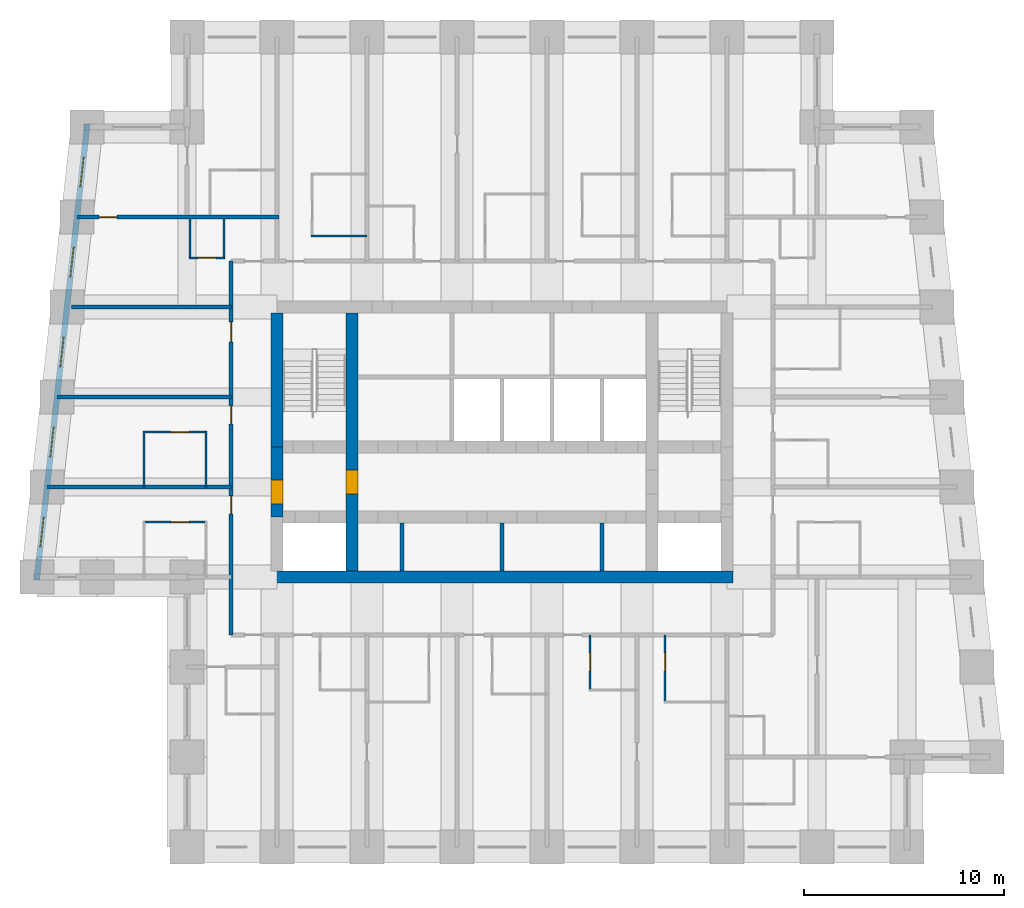
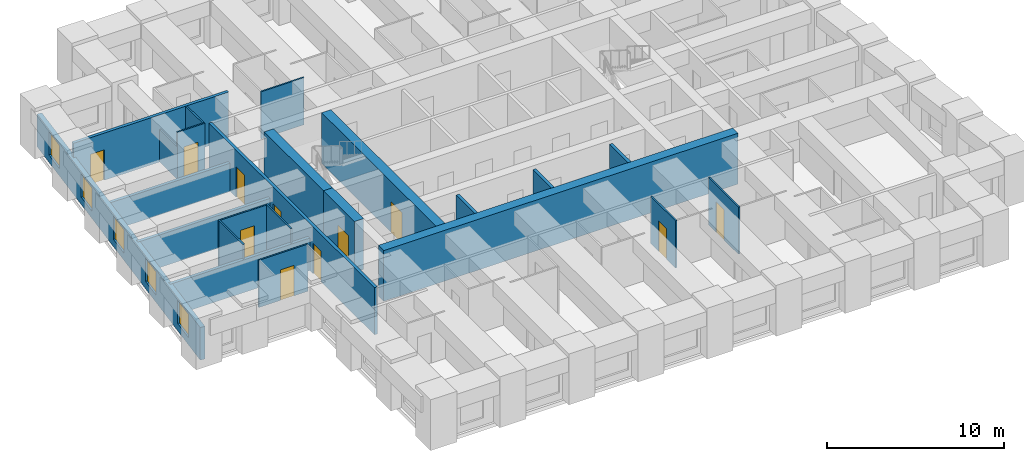
# One storey, part 3 of 8: 23 walls, 11 doors, 5 windows, 16 openings.
"""IFC4 building model written with IfcOpenShell, lengths in metres."""

import ifcopenshell
import ifcopenshell.guid

model = None  # the IFC model being written
_history = None  # IfcOwnerHistory: only IFC2X3 demands one
_inside = {}  # id of a spatial element -> (the spatial element, [elements in it])
_under = {}  # id of a project, library or spatial element -> (it, [spatial elements below it])
_declared = {}  # id of a project -> (the project, [libraries it declares])
_typed = {}  # id of a type object -> (the type object, [elements of that type])
_made_of = {}  # id of a material, layer set ... -> (it, [elements and type objects made of it])


def new_model(schema):
    """Start an empty IFC model of exactly this schema.

    Asked for "IFC4X3", IfcOpenShell would pick the latest addendum, in which some entities
    have other attributes; the version numbers below select the first issue.
    IFC2X3 requires an IfcOwnerHistory on every rooted entity: one is made here for all.
    """
    global model, _history
    if schema == "IFC4X3":
        model = ifcopenshell.file(schema_version=(4, 3, 0, 0))
    else:
        model = ifcopenshell.file(schema=schema)
    _inside.clear()
    _under.clear()
    _declared.clear()
    _typed.clear()
    _made_of.clear()
    _history = None
    if model.schema == "IFC2X3":
        org = make("IfcOrganization", Name="unknown")
        user = make(
            "IfcPersonAndOrganization",
            ThePerson=make("IfcPerson", FamilyName="unknown"),
            TheOrganization=org,
        )
        app = make(
            "IfcApplication",
            ApplicationDeveloper=org,
            Version="unknown",
            ApplicationFullName="unknown",
            ApplicationIdentifier="unknown",
        )
        _history = make(
            "IfcOwnerHistory",
            OwningUser=user,
            OwningApplication=app,
            ChangeAction="ADDED",
            CreationDate=0,
        )
    return model


def make(cls, **values):
    """One entity of the class cls with the attributes given. An attribute that is None is left unset."""
    return model.create_entity(
        cls, **{name: value for name, value in values.items() if value is not None}
    )


def rooted(cls, **values):
    """An entity with a GlobalId (a new one), such as an element, a storey or a relation."""
    return make(cls, GlobalId=ifcopenshell.guid.new(), OwnerHistory=_history, **values)


def si_unit(unit_type, name, prefix=None):
    """IfcSIUnit, for example si_unit("LENGTHUNIT", "METRE", prefix="MILLI")."""
    return make("IfcSIUnit", UnitType=unit_type, Prefix=prefix, Name=name)


def assignment(units):
    """IfcUnitAssignment: the units of a project."""
    return None if units is None else make("IfcUnitAssignment", Units=units)


def point(xyz):
    """IfcCartesianPoint."""
    return None if xyz is None else make("IfcCartesianPoint", Coordinates=xyz)


def direction(xyz):
    """IfcDirection."""
    return None if xyz is None else make("IfcDirection", DirectionRatios=xyz)


def frame(location, z_axis=None, x_axis=None):
    """IfcAxis2Placement3D, a coordinate frame: its origin and axes. An axis left out is left unset."""
    return make(
        "IfcAxis2Placement3D",
        Location=point(location),
        Axis=direction(z_axis),
        RefDirection=direction(x_axis),
    )


def frame_2d(location, x_axis=None):
    """IfcAxis2Placement2D, a coordinate frame in the plane: its origin and x axis."""
    return make(
        "IfcAxis2Placement2D", Location=point(location), RefDirection=direction(x_axis)
    )


def origin():
    """The frame at (0, 0, 0) with its axes left unset."""
    return frame((0.0, 0.0, 0.0))


def place(relative_to, where):
    """IfcLocalPlacement: puts the frame where relative to a parent placement (None: the world)."""
    return make(
        "IfcLocalPlacement", PlacementRelTo=relative_to, RelativePlacement=where
    )


def context(
    kind, dimensions, precision=None, world=None, true_north=None, identifier=None
):
    """IfcGeometricRepresentationContext, for example the 3D "Model" context."""
    return make(
        "IfcGeometricRepresentationContext",
        ContextIdentifier=identifier,
        ContextType=kind,
        CoordinateSpaceDimension=dimensions,
        Precision=precision,
        WorldCoordinateSystem=world,
        TrueNorth=true_north,
    )


def subcontext(parent, identifier, kind, view, scale=None):
    """IfcGeometricRepresentationSubContext, for example "Body" below "Model"."""
    return make(
        "IfcGeometricRepresentationSubContext",
        ContextIdentifier=identifier,
        ContextType=kind,
        ParentContext=parent,
        TargetScale=scale,
        TargetView=view,
    )


def project(units=None, contexts=None):
    """IfcProject with its units and contexts."""
    return rooted(
        "IfcProject",
        Name="project",
        RepresentationContexts=contexts,
        UnitsInContext=assignment(units),
    )


def spatial(cls, under=None, at=None, **own):
    """A site, building, storey or space (cls), placed at a placement, below another one or the project."""
    s = rooted(cls, ObjectPlacement=at, **own)
    if under is not None:
        _under.setdefault(under.id(), (under, []))[1].append(s)
    return s


def profile(cls, at=None, kind="AREA", **sizes):
    """A parametric profile (cls). Its sizes go by their IFC names, for example OverallWidth=200.0."""
    return make(cls, ProfileType=kind, Position=at, **sizes)


def rectangle(**sizes):
    """IfcRectangleProfileDef."""
    return profile("IfcRectangleProfileDef", **sizes)


def extrude(swept, where, along, depth):
    """IfcExtrudedAreaSolid: the profile swept, set in the frame where, extruded along a direction by depth."""
    return make(
        "IfcExtrudedAreaSolid",
        SweptArea=swept,
        Position=where,
        ExtrudedDirection=direction(along),
        Depth=depth,
    )


def shape(context_of_items, identifier, shape_type, items):
    """IfcShapeRepresentation: the items that make up one representation, for example the "Body"."""
    return make(
        "IfcShapeRepresentation",
        ContextOfItems=context_of_items,
        RepresentationIdentifier=identifier,
        RepresentationType=shape_type,
        Items=items,
    )


def material(Name=None, Category=None):
    """IfcMaterial."""
    return make("IfcMaterial", Name=Name, Category=Category)


def layer(
    of_material, thickness, ventilated=None, Name=None, Category=None, Priority=None
):
    """IfcMaterialLayer: one layer of a wall or slab, of a material (None: an air gap)."""
    return make(
        "IfcMaterialLayer",
        Material=of_material,
        LayerThickness=thickness,
        IsVentilated=ventilated,
        Name=Name,
        Category=Category,
        Priority=Priority,
    )


def layer_set(layers, Name=None):
    """IfcMaterialLayerSet."""
    return make("IfcMaterialLayerSet", MaterialLayers=layers, LayerSetName=Name)


def made_of(thing, what):
    """Note that an element or type object is made of a material, layer set ...; save() writes the relation."""
    if what is not None:
        _made_of.setdefault(what.id(), (what, []))[1].append(thing)
    return thing


def type_object(cls, material=None, **own):
    """A type object (cls), such as IfcWallType, which elements share."""
    return made_of(rooted(cls, **own), material)


def element(
    cls,
    number,
    at=None,
    inside=None,
    cuts=None,
    type_object=None,
    material=None,
    context=None,
    identifier="Body",
    shape_type=None,
    held_by="IfcProductDefinitionShape",
    body=None,
    shapes=None,
    **own,
):
    """One element of the class cls, such as IfcWall. Its Tag is "e" and its number.

    at: its placement. inside: the storey or other place that contains it. cuts: it is an
    opening in that element (IfcRelVoidsElement). A single representation is given by context,
    identifier, shape_type and body (its items); several are given by shapes. held_by: the class
    of the entity that holds the representations. save() writes the other relations.
    """
    e = rooted(cls, Tag="e%d" % number, ObjectPlacement=at, **own)
    if body is not None:
        shapes = [shape(context, identifier, shape_type, body)]
    if shapes is not None:
        e.Representation = make(held_by, Representations=shapes)
    if inside is not None:
        _inside.setdefault(inside.id(), (inside, []))[1].append(e)
    if cuts is not None:
        rooted(
            "IfcRelVoidsElement", RelatingBuildingElement=cuts, RelatedOpeningElement=e
        )
    if type_object is not None:
        _typed.setdefault(type_object.id(), (type_object, []))[1].append(e)
    return made_of(e, material)


def fill(opening, filler):
    """IfcRelFillsElement: the door or window that sits in an opening."""
    return rooted(
        "IfcRelFillsElement",
        RelatingOpeningElement=opening,
        RelatedBuildingElement=filler,
    )


def aggregate(whole, parts):
    """IfcRelAggregates: a whole, such as a stair, and the parts it consists of."""
    return rooted("IfcRelAggregates", RelatingObject=whole, RelatedObjects=parts)


def save(model, path):
    """Write the relations noted so far, then the file.

    IfcRelAggregates (storeys below a building ...), IfcRelContainedInSpatialStructure (elements
    in a storey), IfcRelDefinesByType, IfcRelAssociatesMaterial and IfcRelDeclares: one each for
    every whole, place, type object, material and project.
    """
    for whole, parts in _under.values():
        aggregate(whole, parts)
    for where, things in _inside.values():
        rooted(
            "IfcRelContainedInSpatialStructure",
            RelatedElements=things,
            RelatingStructure=where,
        )
    for kind, things in _typed.values():
        rooted("IfcRelDefinesByType", RelatedObjects=things, RelatingType=kind)
    for what, things in _made_of.values():
        rooted("IfcRelAssociatesMaterial", RelatedObjects=things, RelatingMaterial=what)
    for by, libraries in _declared.values():
        rooted("IfcRelDeclares", RelatingContext=by, RelatedDefinitions=libraries)
    model.write(path)


model = new_model("IFC4")

# Units and contexts
model_context = context("Model", 3, precision=1e-05, world=origin(), true_north=direction((0.0, 1.0)))
body_context = subcontext(model_context, "Body", "Model", "MODEL_VIEW")
ifc_project = project(units=[si_unit("LENGTHUNIT", "METRE"), si_unit("AREAUNIT", "SQUARE_METRE"), si_unit("VOLUMEUNIT", "CUBIC_METRE"), si_unit("PLANEANGLEUNIT", "RADIAN"), si_unit("MASSUNIT", "GRAM", prefix="KILO")], contexts=[model_context])

# Site, building, storey
site_placement = place(None, origin())
site = spatial("IfcSite", under=ifc_project, at=site_placement, CompositionType="ELEMENT")
building_placement = place(site_placement, origin())
building = spatial("IfcBuilding", under=site, at=building_placement, Name="Kilele Tower Hotel", CompositionType="ELEMENT")
storey_placement = place(building_placement, frame((0.0, 0.0, 165.89990234375)))
storey = spatial("IfcBuildingStorey", under=building, at=storey_placement, Name="L42", CompositionType="ELEMENT", Elevation=165.89990234375)

# Wall, opening, door
ifc_material_1 = material(Name="Moisture-resistant board")
ifc_layer_1 = layer(ifc_material_1, 0.10009765625)
ifc_layer_set_1 = layer_set([ifc_layer_1], Name="Moisture-resistant board")
wall_type_1 = type_object("IfcWallType", Name="Bathroom partition 100", PredefinedType="PLUMBINGWALL", material=ifc_layer_set_1)
wall_1_placement = place(storey_placement, frame((29.14990234375, 10.60009765625, 0.0), z_axis=(0.0, 0.0, 1.0), x_axis=(0.0, -1.0, 0.0)))
wall_1 = element("IfcWall", 1, at=wall_1_placement, inside=storey, type_object=wall_type_1, Name="Bathroom partition 100 L42", PredefinedType="PLUMBINGWALL", context=body_context, shape_type="SweptSolid", body=[
    extrude(rectangle(XDim=2.800048828125, YDim=0.10009765625, at=frame_2d((1.39990234375, 0.0))), origin(), (0.0, 0.0, 1.0), 3.25),
])
opening_1_placement = place(wall_1_placement, frame((1.7998046875, 0.0, 0.0), z_axis=(0.0, 0.0, 1.0), x_axis=(-1.0, 0.0, 0.0)))
opening_1 = element("IfcOpeningElement", 2, at=opening_1_placement, cuts=wall_1, Name="Opening D2A", PredefinedType="OPENING", context=body_context, shape_type="SweptSolid", body=[
    extrude(rectangle(XDim=0.89990234375, YDim=2.10009765625, at=frame_2d((0.449951171875, 1.050048828125))), frame((0.0, 0.06005859375, 0.0), z_axis=(0.0, -1.0, 0.0), x_axis=(1.0, 0.0, 0.0)), (0.0, 0.0, 1.0), 0.1201171875),
])
ifc_material_2 = material(Name="Timber door leaf in hardwood frame", Category="wood")
door_type_1 = type_object("IfcDoorType", Name="Bathroom door 900", OperationType="SINGLE_SWING_LEFT", PredefinedType="DOOR", material=ifc_material_2)
door_1_placement = place(opening_1_placement, origin())
door_1 = element("IfcDoor", 3, at=door_1_placement, inside=storey, type_object=door_type_1, Name="Bathroom door 4204B", OperationType="SINGLE_SWING_RIGHT", OverallHeight=2.10009765625, OverallWidth=0.89990234375, PredefinedType="DOOR", context=body_context, shape_type="SweptSolid", body=[
    extrude(rectangle(XDim=0.89990234375, YDim=2.10009765625, at=frame_2d((0.449951171875, 1.050048828125))), frame((0.0, 0.02490234375, 0.0), z_axis=(0.0, -1.0, 0.0), x_axis=(1.0, 0.0, 0.0)), (0.0, 0.0, 1.0), 0.050048828125),
])
fill(opening_1, door_1)

wall_2_placement = place(storey_placement, frame((32.89990234375, 10.60009765625, 0.0), z_axis=(0.0, 0.0, 1.0), x_axis=(0.0, -1.0, 0.0)))
wall_2 = element("IfcWall", 4, at=wall_2_placement, inside=storey, type_object=wall_type_1, Name="Bathroom partition 100 L42", PredefinedType="PLUMBINGWALL", context=body_context, shape_type="SweptSolid", body=[
    extrude(rectangle(XDim=3.400146484375, YDim=0.10009765625, at=frame_2d((1.7001953125, 0.0))), origin(), (0.0, 0.0, 1.0), 3.25),
])
opening_2_placement = place(wall_2_placement, frame((1.7998046875, 0.0, 0.0), z_axis=(0.0, 0.0, 1.0), x_axis=(-1.0, 0.0, 0.0)))
opening_2 = element("IfcOpeningElement", 5, at=opening_2_placement, cuts=wall_2, Name="Opening D2A", PredefinedType="OPENING", context=body_context, shape_type="SweptSolid", body=[
    extrude(rectangle(XDim=0.89990234375, YDim=2.10009765625, at=frame_2d((0.449951171875, 1.050048828125))), frame((0.0, 0.06005859375, 0.0), z_axis=(0.0, -1.0, 0.0), x_axis=(1.0, 0.0, 0.0)), (0.0, 0.0, 1.0), 0.1201171875),
])
door_2_placement = place(opening_2_placement, origin())
door_2 = element("IfcDoor", 6, at=door_2_placement, inside=storey, type_object=door_type_1, Name="Bathroom door 4205B", OperationType="SINGLE_SWING_RIGHT", OverallHeight=2.10009765625, OverallWidth=0.89990234375, PredefinedType="DOOR", context=body_context, shape_type="SweptSolid", body=[
    extrude(rectangle(XDim=0.89990234375, YDim=2.10009765625, at=frame_2d((0.449951171875, 1.050048828125))), frame((0.0, 0.02490234375, 0.0), z_axis=(0.0, -1.0, 0.0), x_axis=(1.0, 0.0, 0.0)), (0.0, 0.0, 1.0), 0.050048828125),
])
fill(opening_2, door_2)

# Wall
wall_3_placement = place(storey_placement, frame((15.199951171875, 30.550048828125, 0.0), z_axis=(0.0, 0.0, 1.0), x_axis=(1.0, 0.0, 0.0)))
element("IfcWall", 7, at=wall_3_placement, inside=storey, type_object=wall_type_1, Name="Bathroom partition 100 L42", PredefinedType="PLUMBINGWALL", context=body_context, shape_type="SweptSolid", body=[
    extrude(rectangle(XDim=2.800048828125, YDim=0.10009765625, at=frame_2d((1.39990234375, 0.0))), origin(), (0.0, 0.0, 1.0), 3.25),
])

# Wall, opening, door
wall_4_placement = place(storey_placement, frame((10.0, 16.25, 0.0), z_axis=(0.0, 0.0, 1.0), x_axis=(-1.0, 0.0, 0.0)))
wall_4 = element("IfcWall", 8, at=wall_4_placement, inside=storey, type_object=wall_type_1, Name="Bathroom partition 100 L42", PredefinedType="PLUMBINGWALL", context=body_context, shape_type="SweptSolid", body=[
    extrude(rectangle(XDim=3.199951171875, YDim=0.10009765625, at=frame_2d((1.60009765625, 0.0))), origin(), (0.0, 0.0, 1.0), 3.25),
])
opening_3_placement = place(wall_4_placement, frame((1.7998046875, 0.0, 0.0), z_axis=(0.0, 0.0, 1.0), x_axis=(-1.0, 0.0, 0.0)))
opening_3 = element("IfcOpeningElement", 9, at=opening_3_placement, cuts=wall_4, Name="Opening D2A", PredefinedType="OPENING", context=body_context, shape_type="SweptSolid", body=[
    extrude(rectangle(XDim=0.89990234375, YDim=2.10009765625, at=frame_2d((0.449951171875, 1.050048828125))), frame((0.0, 0.06005859375, 0.0), z_axis=(0.0, -1.0, 0.0), x_axis=(1.0, 0.0, 0.0)), (0.0, 0.0, 1.0), 0.1201171875),
])
door_3_placement = place(opening_3_placement, origin())
door_3 = element("IfcDoor", 10, at=door_3_placement, inside=storey, type_object=door_type_1, Name="Bathroom door 4214B", OperationType="SINGLE_SWING_RIGHT", OverallHeight=2.10009765625, OverallWidth=0.89990234375, PredefinedType="DOOR", context=body_context, shape_type="SweptSolid", body=[
    extrude(rectangle(XDim=0.89990234375, YDim=2.10009765625, at=frame_2d((0.449951171875, 1.050048828125))), frame((0.0, 0.02490234375, 0.0), z_axis=(0.0, -1.0, 0.0), x_axis=(1.0, 0.0, 0.0)), (0.0, 0.0, 1.0), 0.050048828125),
])
fill(opening_3, door_3)

# Walls
for number, where, z_axis, x_axis, name in (
    (11, (9.949951171875, 18.0, 0.0), (0.0, 0.0, 1.0), (0.0, 1.0, 0.0), "Bathroom partition 100 L42"),
    (12, (6.85009765625, 18.0, 0.0), (0.0, 0.0, 1.0), (0.0, 1.0, 0.0), "Bathroom partition 100 L42"),
):
    element("IfcWall", number, at=place(storey_placement, frame(where, z_axis=z_axis, x_axis=x_axis)), inside=storey, type_object=wall_type_1, Name=name, PredefinedType="PLUMBINGWALL", context=body_context, shape_type="SweptSolid", body=[
        extrude(rectangle(XDim=2.800048828125, YDim=0.10009765625, at=frame_2d((1.39990234375, 0.0))), origin(), (0.0, 0.0, 1.0), 3.25),
    ])

# Wall, opening, door
wall_5_placement = place(storey_placement, frame((10.0, 20.75, 0.0), z_axis=(0.0, 0.0, 1.0), x_axis=(-1.0, 0.0, 0.0)))
wall_5 = element("IfcWall", 13, at=wall_5_placement, inside=storey, type_object=wall_type_1, Name="Bathroom partition 100 L42", PredefinedType="PLUMBINGWALL", context=body_context, shape_type="SweptSolid", body=[
    extrude(rectangle(XDim=3.199951171875, YDim=0.10009765625, at=frame_2d((1.60009765625, 0.0))), origin(), (0.0, 0.0, 1.0), 3.25),
])
opening_4_placement = place(wall_5_placement, frame((1.7998046875, 0.0, 0.0), z_axis=(0.0, 0.0, 1.0), x_axis=(-1.0, 0.0, 0.0)))
opening_4 = element("IfcOpeningElement", 14, at=opening_4_placement, cuts=wall_5, Name="Opening D2A", PredefinedType="OPENING", context=body_context, shape_type="SweptSolid", body=[
    extrude(rectangle(XDim=0.89990234375, YDim=2.10009765625, at=frame_2d((0.449951171875, 1.050048828125))), frame((0.0, 0.06005859375, 0.0), z_axis=(0.0, -1.0, 0.0), x_axis=(1.0, 0.0, 0.0)), (0.0, 0.0, 1.0), 0.1201171875),
])
door_4_placement = place(opening_4_placement, origin())
door_4 = element("IfcDoor", 15, at=door_4_placement, inside=storey, type_object=door_type_1, Name="Bathroom door 4215B", OperationType="SINGLE_SWING_RIGHT", OverallHeight=2.10009765625, OverallWidth=0.89990234375, PredefinedType="DOOR", context=body_context, shape_type="SweptSolid", body=[
    extrude(rectangle(XDim=0.89990234375, YDim=2.10009765625, at=frame_2d((0.449951171875, 1.050048828125))), frame((0.0, 0.02490234375, 0.0), z_axis=(0.0, -1.0, 0.0), x_axis=(1.0, 0.0, 0.0)), (0.0, 0.0, 1.0), 0.050048828125),
])
fill(opening_4, door_4)

# Walls
wall_6_placement = place(storey_placement, frame((9.14990234375, 31.39990234375, 0.0), z_axis=(0.0, 0.0, 1.0), x_axis=(0.0, -1.0, 0.0)))
element("IfcWall", 16, at=wall_6_placement, inside=storey, type_object=wall_type_1, Name="Bathroom partition 100 L42", PredefinedType="PLUMBINGWALL", context=body_context, shape_type="SweptSolid", body=[
    extrude(rectangle(XDim=2.0, YDim=0.10009765625, at=frame_2d((1.0, 0.0))), origin(), (0.0, 0.0, 1.0), 2.25),
])
wall_7_placement = place(storey_placement, frame((10.85009765625, 31.39990234375, 0.0), z_axis=(0.0, 0.0, 1.0), x_axis=(0.0, -1.0, 0.0)))
element("IfcWall", 17, at=wall_7_placement, inside=storey, type_object=wall_type_1, Name="Bathroom partition 100 L42", PredefinedType="PLUMBINGWALL", context=body_context, shape_type="SweptSolid", body=[
    extrude(rectangle(XDim=2.0, YDim=0.10009765625, at=frame_2d((1.0, 0.0))), origin(), (0.0, 0.0, 1.0), 3.25),
])

# Wall, opening, door
wall_8_placement = place(storey_placement, frame((10.89990234375, 29.449951171875, 0.0), z_axis=(0.0, 0.0, 1.0), x_axis=(-1.0, 0.0, 0.0)))
wall_8 = element("IfcWall", 18, at=wall_8_placement, inside=storey, type_object=wall_type_1, Name="Bathroom partition 100 L42", PredefinedType="PLUMBINGWALL", context=body_context, shape_type="SweptSolid", body=[
    extrude(rectangle(XDim=1.7998046875, YDim=0.10009765625, at=frame_2d((0.89990234375, 0.0))), origin(), (0.0, 0.0, 1.0), 3.25),
])
opening_5_placement = place(wall_8_placement, frame((0.449951171875, 0.0, 0.0)))
opening_5 = element("IfcOpeningElement", 19, at=opening_5_placement, cuts=wall_8, Name="Opening D2A", PredefinedType="OPENING", context=body_context, shape_type="SweptSolid", body=[
    extrude(rectangle(XDim=0.89990234375, YDim=2.10009765625, at=frame_2d((0.449951171875, 1.050048828125))), frame((0.0, 0.06005859375, 0.0), z_axis=(0.0, -1.0, 0.0), x_axis=(1.0, 0.0, 0.0)), (0.0, 0.0, 1.0), 0.1201171875),
])
door_5_placement = place(opening_5_placement, origin())
door_5 = element("IfcDoor", 20, at=door_5_placement, inside=storey, type_object=door_type_1, Name="Bathroom door 4225P", OperationType="SINGLE_SWING_LEFT", OverallHeight=2.10009765625, OverallWidth=0.89990234375, PredefinedType="DOOR", context=body_context, shape_type="SweptSolid", body=[
    extrude(rectangle(XDim=0.89990234375, YDim=2.10009765625, at=frame_2d((0.449951171875, 1.050048828125))), frame((0.0, 0.02490234375, 0.0), z_axis=(0.0, -1.0, 0.0), x_axis=(1.0, 0.0, 0.0)), (0.0, 0.0, 1.0), 0.050048828125),
])
fill(opening_5, door_5)

# Wall
ifc_material_3 = material(Name="Concrete C70/85", Category="concrete")
ifc_layer_2 = layer(ifc_material_3, 0.60009765625)
ifc_layer_set_2 = layer_set([ifc_layer_2], Name="Concrete C70/85")
wall_type_2 = type_object("IfcWallType", Name="Core wall 600 C70/85", PredefinedType="SHEAR", material=ifc_layer_set_2)
wall_9_placement = place(storey_placement, frame((13.199951171875, 13.5, 0.0), z_axis=(0.0, 0.0, 1.0), x_axis=(1.0, 0.0, 0.0)))
element("IfcWall", 21, at=wall_9_placement, inside=storey, type_object=wall_type_2, Name="Core wall S L42", PredefinedType="SHEAR", context=body_context, shape_type="SweptSolid", body=[
    extrude(rectangle(XDim=23.10009765625, YDim=0.60009765625, at=frame_2d((11.550048828125, 0.0))), origin(), (0.0, 0.0, 1.0), 3.5),
])

# Wall, opening, door
wall_10_placement = place(storey_placement, frame((17.25, 13.800048828125, 0.0), z_axis=(0.0, 0.0, 1.0), x_axis=(0.0, 1.0, 0.0)))
wall_10 = element("IfcWall", 22, at=wall_10_placement, inside=storey, type_object=wall_type_2, Name="Core wall IW L42", PredefinedType="SHEAR", context=body_context, shape_type="SweptSolid", body=[
    extrude(rectangle(XDim=12.89990234375, YDim=0.60009765625, at=frame_2d((6.449951171875, 0.0))), origin(), (0.0, 0.0, 1.0), 3.5),
])
opening_6_placement = place(wall_10_placement, frame((3.85009765625, 0.0, 0.0)))
opening_6 = element("IfcOpeningElement", 23, at=opening_6_placement, cuts=wall_10, Name="Opening D4", PredefinedType="OPENING", context=body_context, shape_type="SweptSolid", body=[
    extrude(rectangle(XDim=1.199951171875, YDim=2.10009765625, at=frame_2d((0.60009765625, 1.050048828125))), frame((0.0, 0.31005859375, 0.0), z_axis=(0.0, -1.0, 0.0), x_axis=(1.0, 0.0, 0.0)), (0.0, 0.0, 1.0), 0.6201171875),
])
ifc_material_4 = material(Name="Timber door leaf in hardwood frame", Category="wood")
door_type_2 = type_object("IfcDoorType", Name="Firefighting lobby door 1200", OperationType="SINGLE_SWING_LEFT", PredefinedType="DOOR", material=ifc_material_4)
door_6_placement = place(opening_6_placement, origin())
door_6 = element("IfcDoor", 24, at=door_6_placement, inside=storey, type_object=door_type_2, Name="Lobby door L42", OperationType="SINGLE_SWING_LEFT", OverallHeight=2.10009765625, OverallWidth=1.199951171875, PredefinedType="DOOR", context=body_context, shape_type="SweptSolid", body=[
    extrude(rectangle(XDim=1.199951171875, YDim=2.10009765625, at=frame_2d((0.60009765625, 1.050048828125))), frame((0.0, 0.2998046875, 0.0), z_axis=(0.0, -1.0, 0.0), x_axis=(1.0, 0.0, 0.0)), (0.0, 0.0, 1.0), 0.599609375),
])
fill(opening_6, door_6)

# Wall
wall_11_placement = place(storey_placement, frame((13.5, 26.699951171875, 0.0), z_axis=(0.0, 0.0, 1.0), x_axis=(0.0, -1.0, 0.0)))
element("IfcWall", 25, at=wall_11_placement, inside=storey, type_object=wall_type_2, Name="Core wall W1 L42", PredefinedType="SHEAR", context=body_context, shape_type="SweptSolid", body=[
    extrude(rectangle(XDim=6.699951171875, YDim=0.60009765625, at=frame_2d((3.35009765625, 0.0))), origin(), (0.0, 0.0, 1.0), 3.5),
])

# Wall, opening, door
wall_12_placement = place(storey_placement, frame((13.5, 20.0, 0.0), z_axis=(0.0, 0.0, 1.0), x_axis=(0.0, -1.0, 0.0)))
wall_12 = element("IfcWall", 26, at=wall_12_placement, inside=storey, type_object=wall_type_2, Name="Core wall W2 L42", PredefinedType="SHEAR", context=body_context, shape_type="SweptSolid", body=[
    extrude(rectangle(XDim=3.5, YDim=0.60009765625, at=frame_2d((1.75, 0.0))), origin(), (0.0, 0.0, 1.0), 3.5),
])
opening_7_placement = place(wall_12_placement, frame((1.64990234375, 0.0, 0.0)))
opening_7 = element("IfcOpeningElement", 27, at=opening_7_placement, cuts=wall_12, Name="Opening D4", PredefinedType="OPENING", context=body_context, shape_type="SweptSolid", body=[
    extrude(rectangle(XDim=1.199951171875, YDim=2.10009765625, at=frame_2d((0.60009765625, 1.050048828125))), frame((0.0, 0.31005859375, 0.0), z_axis=(0.0, -1.0, 0.0), x_axis=(1.0, 0.0, 0.0)), (0.0, 0.0, 1.0), 0.6201171875),
])
door_7_placement = place(opening_7_placement, origin())
door_7 = element("IfcDoor", 28, at=door_7_placement, inside=storey, type_object=door_type_2, Name="Lobby door L42", OperationType="SINGLE_SWING_RIGHT", OverallHeight=2.10009765625, OverallWidth=1.199951171875, PredefinedType="DOOR", context=body_context, shape_type="SweptSolid", body=[
    extrude(rectangle(XDim=1.199951171875, YDim=2.10009765625, at=frame_2d((0.60009765625, 1.050048828125))), frame((0.0, 0.2998046875, 0.0), z_axis=(0.0, -1.0, 0.0), x_axis=(1.0, 0.0, 0.0)), (0.0, 0.0, 1.0), 0.599609375),
])
fill(opening_7, door_7)

# Wall, openings, doors
ifc_material_5 = material(Name="Blockwork, plastered both sides", Category="masonry")
ifc_layer_3 = layer(ifc_material_5, 0.199951171875)
ifc_layer_set_3 = layer_set([ifc_layer_3], Name="Blockwork, plastered both sides")
wall_type_3 = type_object("IfcWallType", Name="Corridor wall 200", PredefinedType="PARTITIONING", material=ifc_layer_set_3)
wall_13_placement = place(storey_placement, frame((11.199951171875, 10.60009765625, 0.0), z_axis=(0.0, 0.0, 1.0), x_axis=(0.0, 1.0, 0.0)))
wall_13 = element("IfcWall", 29, at=wall_13_placement, inside=storey, type_object=wall_type_3, Name="Corridor wall 200 L42", PredefinedType="PARTITIONING", context=body_context, shape_type="SweptSolid", body=[
    extrude(rectangle(XDim=18.699951171875, YDim=0.199951171875, at=frame_2d((9.35009765625, 0.0))), origin(), (0.0, 0.0, 1.0), 3.25),
])
opening_8_placement = place(wall_13_placement, frame((6.050048828125, 0.0, 0.0)))
opening_8 = element("IfcOpeningElement", 30, at=opening_8_placement, cuts=wall_13, Name="Opening D1", PredefinedType="OPENING", context=body_context, shape_type="SweptSolid", body=[
    extrude(rectangle(XDim=0.89990234375, YDim=2.10009765625, at=frame_2d((0.449951171875, 1.050048828125))), frame((0.0, 0.10986328125, 0.0), z_axis=(0.0, -1.0, 0.0), x_axis=(1.0, 0.0, 0.0)), (0.0, 0.0, 1.0), 0.219970703125),
])
opening_9_placement = place(wall_13_placement, frame((10.550048828125, 0.0, 0.0)))
opening_9 = element("IfcOpeningElement", 31, at=opening_9_placement, cuts=wall_13, Name="Opening D1", PredefinedType="OPENING", context=body_context, shape_type="SweptSolid", body=[
    extrude(rectangle(XDim=0.89990234375, YDim=2.10009765625, at=frame_2d((0.449951171875, 1.050048828125))), frame((0.0, 0.10986328125, 0.0), z_axis=(0.0, -1.0, 0.0), x_axis=(1.0, 0.0, 0.0)), (0.0, 0.0, 1.0), 0.219970703125),
])
opening_10_placement = place(wall_13_placement, frame((14.64990234375, 0.0, 0.0)))
opening_10 = element("IfcOpeningElement", 32, at=opening_10_placement, cuts=wall_13, Name="Opening D8", PredefinedType="OPENING", context=body_context, shape_type="SweptSolid", body=[
    extrude(rectangle(XDim=1.0, YDim=2.10009765625, at=frame_2d((0.5, 1.050048828125))), frame((0.0, 0.10986328125, 0.0), z_axis=(0.0, -1.0, 0.0), x_axis=(1.0, 0.0, 0.0)), (0.0, 0.0, 1.0), 0.219970703125),
])
ifc_material_6 = material(Name="Timber door leaf in hardwood frame", Category="wood")
door_type_3 = type_object("IfcDoorType", Name="Door 1000", OperationType="SINGLE_SWING_LEFT", PredefinedType="DOOR", material=ifc_material_6)
door_8_placement = place(opening_10_placement, origin())
door_8 = element("IfcDoor", 33, at=door_8_placement, inside=storey, type_object=door_type_3, Name="Room entrance 4216", OperationType="SINGLE_SWING_RIGHT", OverallHeight=2.10009765625, OverallWidth=1.0, PredefinedType="DOOR", context=body_context, shape_type="SweptSolid", body=[
    extrude(rectangle(XDim=1.0, YDim=2.10009765625, at=frame_2d((0.5, 1.050048828125))), frame((0.0, 0.02490234375, 0.0), z_axis=(0.0, -1.0, 0.0), x_axis=(1.0, 0.0, 0.0)), (0.0, 0.0, 1.0), 0.050048828125),
])
fill(opening_10, door_8)
ifc_material_7 = material(Name="Timber door leaf in hardwood frame", Category="wood")
door_type_4 = type_object("IfcDoorType", Name="Guest room entrance door 900", OperationType="SINGLE_SWING_LEFT", PredefinedType="DOOR", material=ifc_material_7)
door_9_placement = place(opening_8_placement, origin())
door_9 = element("IfcDoor", 34, at=door_9_placement, inside=storey, type_object=door_type_4, Name="Room entrance 4214", OperationType="SINGLE_SWING_RIGHT", OverallHeight=2.10009765625, OverallWidth=0.89990234375, PredefinedType="DOOR", context=body_context, shape_type="SweptSolid", body=[
    extrude(rectangle(XDim=0.89990234375, YDim=2.10009765625, at=frame_2d((0.449951171875, 1.050048828125))), frame((0.0, 0.02490234375, 0.0), z_axis=(0.0, -1.0, 0.0), x_axis=(1.0, 0.0, 0.0)), (0.0, 0.0, 1.0), 0.050048828125),
])
fill(opening_8, door_9)
door_10_placement = place(opening_9_placement, origin())
door_10 = element("IfcDoor", 35, at=door_10_placement, inside=storey, type_object=door_type_4, Name="Room entrance 4215", OperationType="SINGLE_SWING_RIGHT", OverallHeight=2.10009765625, OverallWidth=0.89990234375, PredefinedType="DOOR", context=body_context, shape_type="SweptSolid", body=[
    extrude(rectangle(XDim=0.89990234375, YDim=2.10009765625, at=frame_2d((0.449951171875, 1.050048828125))), frame((0.0, 0.02490234375, 0.0), z_axis=(0.0, -1.0, 0.0), x_axis=(1.0, 0.0, 0.0)), (0.0, 0.0, 1.0), 0.050048828125),
])
fill(opening_9, door_10)

# Walls
ifc_material_8 = material(Name="Blockwork, plastered both sides", Category="masonry")
ifc_layer_4 = layer(ifc_material_8, 0.199951171875)
ifc_layer_set_4 = layer_set([ifc_layer_4], Name="Blockwork, plastered both sides")
wall_type_4 = type_object("IfcWallType", Name="Party wall 200", PredefinedType="PARTITIONING", material=ifc_layer_set_4)
wall_14_placement = place(storey_placement, frame((11.199951171875, 18.0, 0.0), z_axis=(0.0, 0.0, 1.0), x_axis=(-1.0, 0.0, 0.0)))
element("IfcWall", 36, at=wall_14_placement, inside=storey, type_object=wall_type_4, Name="Party wall 200 L42", PredefinedType="PARTITIONING", context=body_context, shape_type="SweptSolid", body=[
    extrude(rectangle(XDim=9.198974609375, YDim=0.199951171875, at=frame_2d((4.599609375, 0.0))), origin(), (0.0, 0.0, 1.0), 2.25),
])
wall_15_placement = place(storey_placement, frame((11.199951171875, 22.5, 0.0), z_axis=(0.0, 0.0, 1.0), x_axis=(-1.0, 0.0, 0.0)))
element("IfcWall", 37, at=wall_15_placement, inside=storey, type_object=wall_type_4, Name="Party wall 200 L42", PredefinedType="PARTITIONING", context=body_context, shape_type="SweptSolid", body=[
    extrude(rectangle(XDim=8.698974609375, YDim=0.199951171875, at=frame_2d((4.349609375, 0.0))), origin(), (0.0, 0.0, 1.0), 2.25),
])
wall_16_placement = place(storey_placement, frame((11.199951171875, 27.0, 0.0), z_axis=(0.0, 0.0, 1.0), x_axis=(-1.0, 0.0, 0.0)))
element("IfcWall", 38, at=wall_16_placement, inside=storey, type_object=wall_type_4, Name="Party wall 200 L42", PredefinedType="PARTITIONING", context=body_context, shape_type="SweptSolid", body=[
    extrude(rectangle(XDim=7.976806640625, YDim=0.199951171875, at=frame_2d((3.98828125, 0.0))), origin(), (0.0, 0.0, 1.0), 1.9501953125),
])

# Wall, opening, door
wall_17_placement = place(storey_placement, frame((13.60009765625, 31.5, 0.0), z_axis=(0.0, 0.0, 1.0), x_axis=(-1.0, 0.0, 0.0)))
wall_17 = element("IfcWall", 39, at=wall_17_placement, inside=storey, type_object=wall_type_4, Name="Party wall 200 L42", PredefinedType="PARTITIONING", context=body_context, shape_type="SweptSolid", body=[
    extrude(rectangle(XDim=10.09912109375, YDim=0.199951171875, at=frame_2d((5.049560546875, 0.0))), origin(), (0.0, 0.0, 1.0), 3.25),
])
opening_11_placement = place(wall_17_placement, frame((8.9990234375, 0.0, 0.0), z_axis=(0.0, 0.0, 1.0), x_axis=(-1.0, 0.0, 0.0)))
opening_11 = element("IfcOpeningElement", 40, at=opening_11_placement, cuts=wall_17, Name="Opening D3", PredefinedType="OPENING", context=body_context, shape_type="SweptSolid", body=[
    extrude(rectangle(XDim=0.89990234375, YDim=2.10009765625, at=frame_2d((0.449951171875, 1.050048828125))), frame((0.0, 0.10986328125, 0.0), z_axis=(0.0, -1.0, 0.0), x_axis=(1.0, 0.0, 0.0)), (0.0, 0.0, 1.0), 0.219970703125),
])
ifc_material_9 = material(Name="Timber door leaf in hardwood frame", Category="wood")
door_type_5 = type_object("IfcDoorType", Name="Suite internal door 900", OperationType="SINGLE_SWING_LEFT", PredefinedType="DOOR", material=ifc_material_9)
door_11_placement = place(opening_11_placement, origin())
door_11 = element("IfcDoor", 41, at=door_11_placement, inside=storey, type_object=door_type_5, Name="Suite door 4226", OperationType="SINGLE_SWING_LEFT", OverallHeight=2.10009765625, OverallWidth=0.89990234375, PredefinedType="DOOR", context=body_context, shape_type="SweptSolid", body=[
    extrude(rectangle(XDim=0.89990234375, YDim=2.10009765625, at=frame_2d((0.449951171875, 1.050048828125))), frame((0.0, 0.02490234375, 0.0), z_axis=(0.0, -1.0, 0.0), x_axis=(1.0, 0.0, 0.0)), (0.0, 0.0, 1.0), 0.050048828125),
])
fill(opening_11, door_11)

# Wall, openings, windows
ifc_material_10 = material(Name="Concrete C40/50 precast", Category="concrete")
ifc_layer_5 = layer(ifc_material_10, 0.260009765625, Name="Precast backing", Category="LoadBearing")
ifc_material_11 = material(Name="Reconstituted stone finish", Category="masonry")
ifc_layer_6 = layer(ifc_material_11, 0.0400390625, Name="Face mix", Category="Finish")
ifc_layer_set_5 = layer_set([ifc_layer_5, ifc_layer_6], Name="Precast concrete C40/50, reconstituted stone finish")
wall_type_5 = type_object("IfcWallType", Name="Precast stone facade wall 300", PredefinedType="STANDARD", material=ifc_layer_set_5)
wall_18_placement = place(storey_placement, frame((4.0166015625, 36.149169921875, 0.0), z_axis=(0.0, 0.0, 1.0), x_axis=(-0.110433862387, -0.993883475081, 0.0)))
wall_18 = element("IfcWall", 42, at=wall_18_placement, inside=storey, type_object=wall_type_5, Name="Facade wall L42 edge 12", PredefinedType="STANDARD", context=body_context, shape_type="SweptSolid", body=[
    extrude(rectangle(XDim=22.938720703125, YDim=0.300048828125, at=frame_2d((11.46923828125, 0.0))), origin(), (0.0, 0.0, 1.0), 2.25),
])
opening_12_placement = place(wall_18_placement, frame((1.6640625, 0.0, 0.5)))
opening_12 = element("IfcOpeningElement", 43, at=opening_12_placement, cuts=wall_18, Name="Opening W3", PredefinedType="OPENING", context=body_context, shape_type="SweptSolid", body=[
    extrude(rectangle(XDim=1.5, YDim=1.60009765625, at=frame_2d((0.75, 0.800048828125))), frame((0.0, 0.159912109375, 0.0), z_axis=(0.0, -1.0, 0.0), x_axis=(1.0, 0.0, 0.0)), (0.0, 0.0, 1.0), 0.320068359375),
])
opening_13_placement = place(wall_18_placement, frame((6.19189453125, 0.0, 0.5)))
opening_13 = element("IfcOpeningElement", 44, at=opening_13_placement, cuts=wall_18, Name="Opening W3", PredefinedType="OPENING", context=body_context, shape_type="SweptSolid", body=[
    extrude(rectangle(XDim=1.5, YDim=1.60009765625, at=frame_2d((0.75, 0.800048828125))), frame((0.0, 0.159912109375, 0.0), z_axis=(0.0, -1.0, 0.0), x_axis=(1.0, 0.0, 0.0)), (0.0, 0.0, 1.0), 0.320068359375),
])
opening_14_placement = place(wall_18_placement, frame((10.718994140625, 0.0, 0.5)))
opening_14 = element("IfcOpeningElement", 45, at=opening_14_placement, cuts=wall_18, Name="Opening W3", PredefinedType="OPENING", context=body_context, shape_type="SweptSolid", body=[
    extrude(rectangle(XDim=1.5, YDim=1.60009765625, at=frame_2d((0.75, 0.800048828125))), frame((0.0, 0.159912109375, 0.0), z_axis=(0.0, -1.0, 0.0), x_axis=(1.0, 0.0, 0.0)), (0.0, 0.0, 1.0), 0.320068359375),
])
opening_15_placement = place(wall_18_placement, frame((15.2470703125, 0.0, 0.5)))
opening_15 = element("IfcOpeningElement", 46, at=opening_15_placement, cuts=wall_18, Name="Opening W3", PredefinedType="OPENING", context=body_context, shape_type="SweptSolid", body=[
    extrude(rectangle(XDim=1.5, YDim=1.60009765625, at=frame_2d((0.75, 0.800048828125))), frame((0.0, 0.159912109375, 0.0), z_axis=(0.0, -1.0, 0.0), x_axis=(1.0, 0.0, 0.0)), (0.0, 0.0, 1.0), 0.320068359375),
])
opening_16_placement = place(wall_18_placement, frame((19.77490234375, 0.0, 0.5)))
opening_16 = element("IfcOpeningElement", 47, at=opening_16_placement, cuts=wall_18, Name="Opening W3", PredefinedType="OPENING", context=body_context, shape_type="SweptSolid", body=[
    extrude(rectangle(XDim=1.5, YDim=1.60009765625, at=frame_2d((0.75, 0.800048828125))), frame((0.0, 0.159912109375, 0.0), z_axis=(0.0, -1.0, 0.0), x_axis=(1.0, 0.0, 0.0)), (0.0, 0.0, 1.0), 0.320068359375),
])
ifc_material_12 = material(Name="Aluminium frame, clear double glazing", Category="aluminium")
window_type = type_object("IfcWindowType", Name="Window W3 1500 x 1600", PartitioningType="SINGLE_PANEL", PredefinedType="WINDOW", material=ifc_material_12)
window_1_placement = place(opening_12_placement, origin())
window_1 = element("IfcWindow", 48, at=window_1_placement, inside=storey, type_object=window_type, Name="Window L42", OverallHeight=1.60009765625, OverallWidth=1.5, PartitioningType="SINGLE_PANEL", PredefinedType="WINDOW", context=body_context, shape_type="SweptSolid", body=[
    extrude(rectangle(XDim=1.5, YDim=1.60009765625, at=frame_2d((0.75, 0.800048828125))), frame((0.0, 0.030029296875, 0.0), z_axis=(0.0, -1.0, 0.0), x_axis=(1.0, 0.0, 0.0)), (0.0, 0.0, 1.0), 0.06005859375),
])
fill(opening_12, window_1)
window_2_placement = place(opening_13_placement, origin())
window_2 = element("IfcWindow", 49, at=window_2_placement, inside=storey, type_object=window_type, Name="Window L42", OverallHeight=1.60009765625, OverallWidth=1.5, PartitioningType="SINGLE_PANEL", PredefinedType="WINDOW", context=body_context, shape_type="SweptSolid", body=[
    extrude(rectangle(XDim=1.5, YDim=1.60009765625, at=frame_2d((0.75, 0.800048828125))), frame((0.0, 0.030029296875, 0.0), z_axis=(0.0, -1.0, 0.0), x_axis=(1.0, 0.0, 0.0)), (0.0, 0.0, 1.0), 0.06005859375),
])
fill(opening_13, window_2)
window_3_placement = place(opening_14_placement, origin())
window_3 = element("IfcWindow", 50, at=window_3_placement, inside=storey, type_object=window_type, Name="Window L42", OverallHeight=1.60009765625, OverallWidth=1.5, PartitioningType="SINGLE_PANEL", PredefinedType="WINDOW", context=body_context, shape_type="SweptSolid", body=[
    extrude(rectangle(XDim=1.5, YDim=1.60009765625, at=frame_2d((0.75, 0.800048828125))), frame((0.0, 0.030029296875, 0.0), z_axis=(0.0, -1.0, 0.0), x_axis=(1.0, 0.0, 0.0)), (0.0, 0.0, 1.0), 0.06005859375),
])
fill(opening_14, window_3)
window_4_placement = place(opening_15_placement, origin())
window_4 = element("IfcWindow", 51, at=window_4_placement, inside=storey, type_object=window_type, Name="Window L42", OverallHeight=1.60009765625, OverallWidth=1.5, PartitioningType="SINGLE_PANEL", PredefinedType="WINDOW", context=body_context, shape_type="SweptSolid", body=[
    extrude(rectangle(XDim=1.5, YDim=1.60009765625, at=frame_2d((0.75, 0.800048828125))), frame((0.0, 0.030029296875, 0.0), z_axis=(0.0, -1.0, 0.0), x_axis=(1.0, 0.0, 0.0)), (0.0, 0.0, 1.0), 0.06005859375),
])
fill(opening_15, window_4)
window_5_placement = place(opening_16_placement, origin())
window_5 = element("IfcWindow", 52, at=window_5_placement, inside=storey, type_object=window_type, Name="Window L42", OverallHeight=1.60009765625, OverallWidth=1.5, PartitioningType="SINGLE_PANEL", PredefinedType="WINDOW", context=body_context, shape_type="SweptSolid", body=[
    extrude(rectangle(XDim=1.5, YDim=1.60009765625, at=frame_2d((0.75, 0.800048828125))), frame((0.0, 0.030029296875, 0.0), z_axis=(0.0, -1.0, 0.0), x_axis=(1.0, 0.0, 0.0)), (0.0, 0.0, 1.0), 0.06005859375),
])
fill(opening_16, window_5)

# Walls
ifc_material_13 = material(Name="Blockwork, fire-rated", Category="masonry")
ifc_layer_7 = layer(ifc_material_13, 0.199951171875)
ifc_layer_set_6 = layer_set([ifc_layer_7], Name="Blockwork, fire-rated")
wall_type_6 = type_object("IfcWallType", Name="Shaft wall 200", PredefinedType="PARTITIONING", material=ifc_layer_set_6)
for number, where, z_axis, x_axis, name in (
    (53, (19.75, 13.800048828125, 0.0), (0.0, 0.0, 1.0), (0.0, 1.0, 0.0), "Shaft wall 200 L42"),
    (54, (24.75, 13.800048828125, 0.0), (0.0, 0.0, 1.0), (0.0, 1.0, 0.0), "Shaft wall 200 L42"),
    (55, (29.75, 13.800048828125, 0.0), (0.0, 0.0, 1.0), (0.0, 1.0, 0.0), "Shaft wall 200 L42"),
):
    element("IfcWall", number, at=place(storey_placement, frame(where, z_axis=z_axis, x_axis=x_axis)), inside=storey, type_object=wall_type_6, Name=name, PredefinedType="PARTITIONING", context=body_context, shape_type="SweptSolid", body=[
        extrude(rectangle(XDim=2.39990234375, YDim=0.199951171875, at=frame_2d((1.199951171875, 0.0))), origin(), (0.0, 0.0, 1.0), 3.25),
    ])

save(model, "model.ifc")
